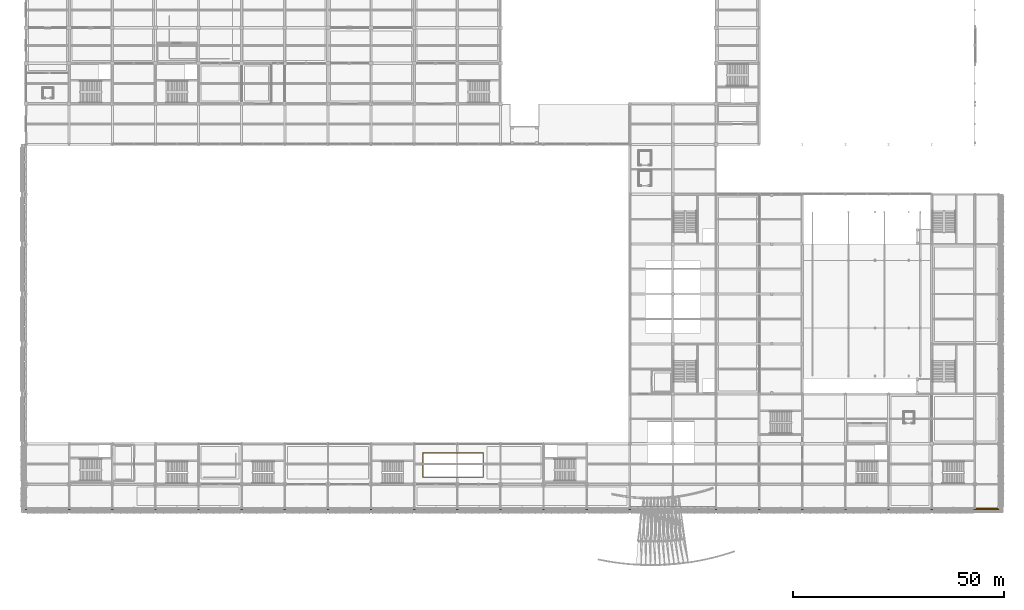
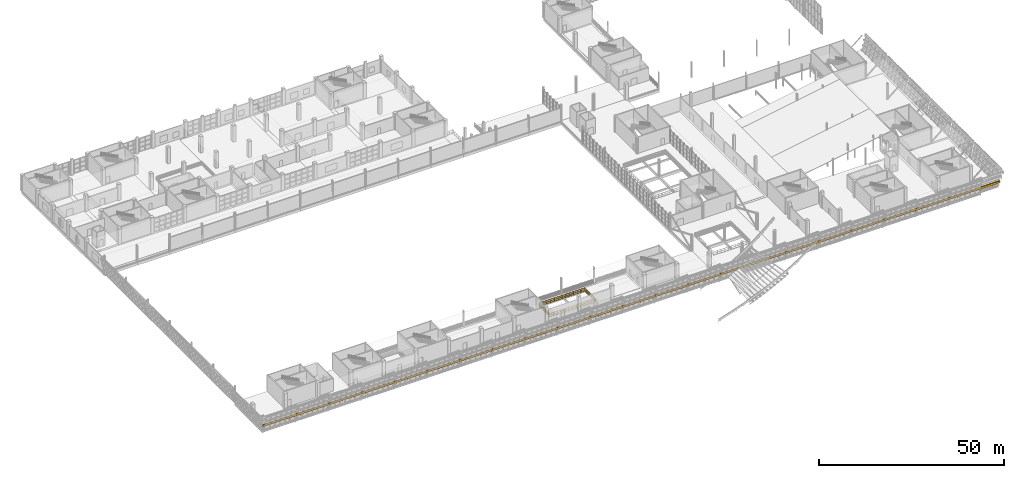
# One storey, part 158 of 175: 2 railings.
"""IFC4 building model written with IfcOpenShell, lengths in metres."""

from ifc_helpers import new_model, si_unit, direction, frame, origin, origin_2d, place, context, subcontext, project, spatial, rectangle, circle, extrude, material, type_object, element, save


model = new_model("IFC4")

# Units and contexts
model_context = context("Model", 3, precision=1e-05, world=origin(), true_north=direction((0.0, 1.0)))
body_context = subcontext(model_context, "Body", "Model", "MODEL_VIEW")
ifc_project = project(units=[si_unit("LENGTHUNIT", "METRE"), si_unit("AREAUNIT", "SQUARE_METRE"), si_unit("VOLUMEUNIT", "CUBIC_METRE"), si_unit("PLANEANGLEUNIT", "RADIAN"), si_unit("MASSUNIT", "GRAM", prefix="KILO")], contexts=[model_context])

# Site, building, storey
site_placement = place(None, origin())
site = spatial("IfcSite", under=ifc_project, at=site_placement, CompositionType="ELEMENT")
building_placement = place(site_placement, origin())
building = spatial("IfcBuilding", under=site, at=building_placement, Name="Brelvane Convention Centre", CompositionType="ELEMENT")
storey_placement = place(building_placement, frame((0.0, 0.0, 5.39990234375)))
storey = spatial("IfcBuildingStorey", under=building, at=storey_placement, Name="L01", CompositionType="ELEMENT", Elevation=5.39990234375)

# Railings
ifc_material_1 = material(Name="Steel E350 (350 MPa)", Category="steel")
railing_type_1 = type_object("IfcRailingType", Name="Railing BL-ATR-1", PredefinedType="BALUSTRADE", material=ifc_material_1)
railing_1_placement = place(storey_placement, frame((93.8798828125, 20.8798828125, 0.0)))
element("IfcRailing", 1, at=railing_1_placement, inside=storey, type_object=railing_type_1, Name="Railing BL-ATR-1 L01-atrium_well_03", PredefinedType="BALUSTRADE", context=body_context, shape_type="SweptSolid", body=[
    extrude(circle(Radius=0.02392578125, at=origin_2d()), frame((0.0, 0.0, 1.15576171875), z_axis=(1.0, 0.0, 0.0), x_axis=(0.0, 1.0, 0.0)), (0.0, 0.0, 1.0), 14.240234375),
    extrude(circle(Radius=0.02392578125, at=origin_2d()), frame((0.0, 0.0, 0.613525390625), z_axis=(1.0, 0.0, 0.0), x_axis=(0.0, 1.0, 0.0)), (0.0, 0.0, 1.0), 14.240234375),
    extrude(circle(Radius=0.02392578125, at=origin_2d()), frame((0.0, 0.0, 0.139892578125), z_axis=(1.0, 0.0, 0.0), x_axis=(0.0, 1.0, 0.0)), (0.0, 0.0, 1.0), 14.240234375),
    extrude(circle(Radius=0.02392578125, at=origin_2d()), frame((14.240234375, 0.0, 1.15576171875), z_axis=(0.0, 1.0, 0.0), x_axis=(-1.0, 0.0, 0.0)), (0.0, 0.0, 1.0), 5.740234375),
    extrude(circle(Radius=0.02392578125, at=origin_2d()), frame((14.240234375, 0.0, 0.613525390625), z_axis=(0.0, 1.0, 0.0), x_axis=(-1.0, 0.0, 0.0)), (0.0, 0.0, 1.0), 5.740234375),
    extrude(circle(Radius=0.02392578125, at=origin_2d()), frame((14.240234375, 0.0, 0.139892578125), z_axis=(0.0, 1.0, 0.0), x_axis=(-1.0, 0.0, 0.0)), (0.0, 0.0, 1.0), 5.740234375),
    extrude(circle(Radius=0.02392578125, at=origin_2d()), frame((14.240234375, 5.740234375, 1.15576171875), z_axis=(-1.0, 0.0, 0.0), x_axis=(0.0, -1.0, 0.0)), (0.0, 0.0, 1.0), 14.240234375),
    extrude(circle(Radius=0.02392578125, at=origin_2d()), frame((14.240234375, 5.740234375, 0.613525390625), z_axis=(-1.0, 0.0, 0.0), x_axis=(0.0, -1.0, 0.0)), (0.0, 0.0, 1.0), 14.240234375),
    extrude(circle(Radius=0.02392578125, at=origin_2d()), frame((14.240234375, 5.740234375, 0.139892578125), z_axis=(-1.0, 0.0, 0.0), x_axis=(0.0, -1.0, 0.0)), (0.0, 0.0, 1.0), 14.240234375),
    extrude(circle(Radius=0.02392578125, at=origin_2d()), frame((0.0, 5.740234375, 1.15576171875), z_axis=(0.0, -1.0, 0.0), x_axis=(1.0, 0.0, 0.0)), (0.0, 0.0, 1.0), 5.735107421875),
    extrude(circle(Radius=0.02392578125, at=origin_2d()), frame((0.0, 5.740234375, 0.613525390625), z_axis=(0.0, -1.0, 0.0), x_axis=(1.0, 0.0, 0.0)), (0.0, 0.0, 1.0), 5.735107421875),
    extrude(circle(Radius=0.02392578125, at=origin_2d()), frame((0.0, 5.740234375, 0.139892578125), z_axis=(0.0, -1.0, 0.0), x_axis=(1.0, 0.0, 0.0)), (0.0, 0.0, 1.0), 5.735107421875),
    extrude(circle(Radius=0.02099609375, at=origin_2d()), origin(), (0.0, 0.0, 1.0), 1.1318359375),
    extrude(circle(Radius=0.02099609375, at=origin_2d()), frame((1.186767578125, 0.0, 0.0)), (0.0, 0.0, 1.0), 1.1318359375),
    extrude(circle(Radius=0.02099609375, at=origin_2d()), frame((2.373291015625, 0.0, 0.0)), (0.0, 0.0, 1.0), 1.1318359375),
    extrude(circle(Radius=0.02099609375, at=origin_2d()), frame((3.56005859375, 0.0, 0.0)), (0.0, 0.0, 1.0), 1.1318359375),
    extrude(circle(Radius=0.02099609375, at=origin_2d()), frame((4.746826171875, 0.0, 0.0)), (0.0, 0.0, 1.0), 1.1318359375),
    extrude(circle(Radius=0.02099609375, at=origin_2d()), frame((5.933349609375, 0.0, 0.0)), (0.0, 0.0, 1.0), 1.1318359375),
    extrude(circle(Radius=0.02099609375, at=origin_2d()), frame((7.1201171875, 0.0, 0.0)), (0.0, 0.0, 1.0), 1.1318359375),
    extrude(circle(Radius=0.02099609375, at=origin_2d()), frame((8.306884765625, 0.0, 0.0)), (0.0, 0.0, 1.0), 1.1318359375),
    extrude(circle(Radius=0.02099609375, at=origin_2d()), frame((9.493408203125, 0.0, 0.0)), (0.0, 0.0, 1.0), 1.1318359375),
    extrude(circle(Radius=0.02099609375, at=origin_2d()), frame((10.68017578125, 0.0, 0.0)), (0.0, 0.0, 1.0), 1.1318359375),
    extrude(circle(Radius=0.02099609375, at=origin_2d()), frame((11.866943359375, 0.0, 0.0)), (0.0, 0.0, 1.0), 1.1318359375),
    extrude(circle(Radius=0.02099609375, at=origin_2d()), frame((13.053466796875, 0.0, 0.0)), (0.0, 0.0, 1.0), 1.1318359375),
    extrude(circle(Radius=0.02099609375, at=origin_2d()), frame((14.240234375, 0.0, 0.0)), (0.0, 0.0, 1.0), 1.1318359375),
    extrude(circle(Radius=0.02099609375, at=origin_2d()), frame((14.240234375, 1.14794921875, 0.0)), (0.0, 0.0, 1.0), 1.1318359375),
    extrude(circle(Radius=0.02099609375, at=origin_2d()), frame((14.240234375, 2.296142578125, 0.0)), (0.0, 0.0, 1.0), 1.1318359375),
    extrude(circle(Radius=0.02099609375, at=origin_2d()), frame((14.240234375, 3.444091796875, 0.0)), (0.0, 0.0, 1.0), 1.1318359375),
    extrude(circle(Radius=0.02099609375, at=origin_2d()), frame((14.240234375, 4.59228515625, 0.0)), (0.0, 0.0, 1.0), 1.1318359375),
    extrude(circle(Radius=0.02099609375, at=origin_2d()), frame((14.240234375, 5.740234375, 0.0)), (0.0, 0.0, 1.0), 1.1318359375),
    extrude(circle(Radius=0.02099609375, at=origin_2d()), frame((13.053466796875, 5.740234375, 0.0)), (0.0, 0.0, 1.0), 1.1318359375),
    extrude(circle(Radius=0.02099609375, at=origin_2d()), frame((11.866943359375, 5.740234375, 0.0)), (0.0, 0.0, 1.0), 1.1318359375),
    extrude(circle(Radius=0.02099609375, at=origin_2d()), frame((10.68017578125, 5.740234375, 0.0)), (0.0, 0.0, 1.0), 1.1318359375),
    extrude(circle(Radius=0.02099609375, at=origin_2d()), frame((9.493408203125, 5.740234375, 0.0)), (0.0, 0.0, 1.0), 1.1318359375),
    extrude(circle(Radius=0.02099609375, at=origin_2d()), frame((8.306884765625, 5.740234375, 0.0)), (0.0, 0.0, 1.0), 1.1318359375),
    extrude(circle(Radius=0.02099609375, at=origin_2d()), frame((7.1201171875, 5.740234375, 0.0)), (0.0, 0.0, 1.0), 1.1318359375),
    extrude(circle(Radius=0.02099609375, at=origin_2d()), frame((5.933349609375, 5.740234375, 0.0)), (0.0, 0.0, 1.0), 1.1318359375),
    extrude(circle(Radius=0.02099609375, at=origin_2d()), frame((4.746826171875, 5.740234375, 0.0)), (0.0, 0.0, 1.0), 1.1318359375),
    extrude(circle(Radius=0.02099609375, at=origin_2d()), frame((3.56005859375, 5.740234375, 0.0)), (0.0, 0.0, 1.0), 1.1318359375),
    extrude(circle(Radius=0.02099609375, at=origin_2d()), frame((2.373291015625, 5.740234375, 0.0)), (0.0, 0.0, 1.0), 1.1318359375),
    extrude(circle(Radius=0.02099609375, at=origin_2d()), frame((1.186767578125, 5.740234375, 0.0)), (0.0, 0.0, 1.0), 1.1318359375),
    extrude(circle(Radius=0.02099609375, at=origin_2d()), frame((0.0, 5.740234375, 0.0)), (0.0, 0.0, 1.0), 1.1318359375),
    extrude(circle(Radius=0.02099609375, at=origin_2d()), frame((0.0, 4.59326171875, 0.0)), (0.0, 0.0, 1.0), 1.1318359375),
    extrude(circle(Radius=0.02099609375, at=origin_2d()), frame((0.0, 3.4462890625, 0.0)), (0.0, 0.0, 1.0), 1.1318359375),
    extrude(circle(Radius=0.02099609375, at=origin_2d()), frame((0.0, 2.299072265625, 0.0)), (0.0, 0.0, 1.0), 1.1318359375),
    extrude(circle(Radius=0.02099609375, at=origin_2d()), frame((0.0, 1.152099609375, 0.0)), (0.0, 0.0, 1.0), 1.1318359375),
    extrude(circle(Radius=0.02099609375, at=origin_2d()), frame((0.0, 0.005126953125, 0.0)), (0.0, 0.0, 1.0), 1.1318359375),
])
ifc_material_2 = material(Name="Steel E350 (350 MPa)", Category="steel")
railing_type_2 = type_object("IfcRailingType", Name="Railing BL-CU-1", PredefinedType="BALUSTRADE", material=ifc_material_2)
railing_2_placement = place(storey_placement, frame((-0.2880859375, 13.3720703125, 0.800048828125)))
element("IfcRailing", 2, at=railing_2_placement, inside=storey, type_object=railing_type_2, Name="Railing BL-CU-1 L01-cu_hull_s_1", PredefinedType="BALUSTRADE", context=body_context, shape_type="SweptSolid", body=[
    extrude(rectangle(XDim=0.280029296875, YDim=0.6201171875, at=origin_2d()), frame((0.0, 0.0, 0.81005859375), z_axis=(1.0, 0.0, 0.0), x_axis=(0.0, 1.0, 0.0)), (0.0, 0.0, 1.0), 230.51611328125),
    extrude(circle(Radius=0.02099609375, at=origin_2d()), origin(), (0.0, 0.0, 1.0), 1.072021484375),
    extrude(circle(Radius=0.02099609375, at=origin_2d()), frame((1.1943359375, 0.0, 0.0)), (0.0, 0.0, 1.0), 1.072021484375),
    extrude(circle(Radius=0.02099609375, at=origin_2d()), frame((2.388671875, 0.0, 0.0)), (0.0, 0.0, 1.0), 1.072021484375),
    extrude(circle(Radius=0.02099609375, at=origin_2d()), frame((3.583251953125, 0.0, 0.0)), (0.0, 0.0, 1.0), 1.072021484375),
    extrude(circle(Radius=0.02099609375, at=origin_2d()), frame((4.777587890625, 0.0, 0.0)), (0.0, 0.0, 1.0), 1.072021484375),
    extrude(circle(Radius=0.02099609375, at=origin_2d()), frame((5.971923828125, 0.0, 0.0)), (0.0, 0.0, 1.0), 1.072021484375),
    extrude(circle(Radius=0.02099609375, at=origin_2d()), frame((7.166259765625, 0.0, 0.0)), (0.0, 0.0, 1.0), 1.072021484375),
    extrude(circle(Radius=0.02099609375, at=origin_2d()), frame((8.360595703125, 0.0, 0.0)), (0.0, 0.0, 1.0), 1.072021484375),
    extrude(circle(Radius=0.02099609375, at=origin_2d()), frame((9.55517578125, 0.0, 0.0)), (0.0, 0.0, 1.0), 1.072021484375),
    extrude(circle(Radius=0.02099609375, at=origin_2d()), frame((10.74951171875, 0.0, 0.0)), (0.0, 0.0, 1.0), 1.072021484375),
    extrude(circle(Radius=0.02099609375, at=origin_2d()), frame((11.94384765625, 0.0, 0.0)), (0.0, 0.0, 1.0), 1.072021484375),
    extrude(circle(Radius=0.02099609375, at=origin_2d()), frame((13.13818359375, 0.0, 0.0)), (0.0, 0.0, 1.0), 1.072021484375),
    extrude(circle(Radius=0.02099609375, at=origin_2d()), frame((14.33251953125, 0.0, 0.0)), (0.0, 0.0, 1.0), 1.072021484375),
    extrude(circle(Radius=0.02099609375, at=origin_2d()), frame((15.527099609375, 0.0, 0.0)), (0.0, 0.0, 1.0), 1.072021484375),
    extrude(circle(Radius=0.02099609375, at=origin_2d()), frame((16.721435546875, 0.0, 0.0)), (0.0, 0.0, 1.0), 1.072021484375),
    extrude(circle(Radius=0.02099609375, at=origin_2d()), frame((17.915771484375, 0.0, 0.0)), (0.0, 0.0, 1.0), 1.072021484375),
    extrude(circle(Radius=0.02099609375, at=origin_2d()), frame((19.110107421875, 0.0, 0.0)), (0.0, 0.0, 1.0), 1.072021484375),
    extrude(circle(Radius=0.02099609375, at=origin_2d()), frame((20.304443359375, 0.0, 0.0)), (0.0, 0.0, 1.0), 1.072021484375),
    extrude(circle(Radius=0.02099609375, at=origin_2d()), frame((21.4990234375, 0.0, 0.0)), (0.0, 0.0, 1.0), 1.072021484375),
    extrude(circle(Radius=0.02099609375, at=origin_2d()), frame((22.693359375, 0.0, 0.0)), (0.0, 0.0, 1.0), 1.072021484375),
    extrude(circle(Radius=0.02099609375, at=origin_2d()), frame((23.8876953125, 0.0, 0.0)), (0.0, 0.0, 1.0), 1.072021484375),
    extrude(circle(Radius=0.02099609375, at=origin_2d()), frame((25.08203125, 0.0, 0.0)), (0.0, 0.0, 1.0), 1.072021484375),
    extrude(circle(Radius=0.02099609375, at=origin_2d()), frame((26.2763671875, 0.0, 0.0)), (0.0, 0.0, 1.0), 1.072021484375),
    extrude(circle(Radius=0.02099609375, at=origin_2d()), frame((27.470947265625, 0.0, 0.0)), (0.0, 0.0, 1.0), 1.072021484375),
    extrude(circle(Radius=0.02099609375, at=origin_2d()), frame((28.665283203125, 0.0, 0.0)), (0.0, 0.0, 1.0), 1.072021484375),
    extrude(circle(Radius=0.02099609375, at=origin_2d()), frame((29.859619140625, 0.0, 0.0)), (0.0, 0.0, 1.0), 1.072021484375),
    extrude(circle(Radius=0.02099609375, at=origin_2d()), frame((31.053955078125, 0.0, 0.0)), (0.0, 0.0, 1.0), 1.072021484375),
    extrude(circle(Radius=0.02099609375, at=origin_2d()), frame((32.248291015625, 0.0, 0.0)), (0.0, 0.0, 1.0), 1.072021484375),
    extrude(circle(Radius=0.02099609375, at=origin_2d()), frame((33.44287109375, 0.0, 0.0)), (0.0, 0.0, 1.0), 1.072021484375),
    extrude(circle(Radius=0.02099609375, at=origin_2d()), frame((34.63720703125, 0.0, 0.0)), (0.0, 0.0, 1.0), 1.072021484375),
    extrude(circle(Radius=0.02099609375, at=origin_2d()), frame((35.83154296875, 0.0, 0.0)), (0.0, 0.0, 1.0), 1.072021484375),
    extrude(circle(Radius=0.02099609375, at=origin_2d()), frame((37.02587890625, 0.0, 0.0)), (0.0, 0.0, 1.0), 1.072021484375),
    extrude(circle(Radius=0.02099609375, at=origin_2d()), frame((38.22021484375, 0.0, 0.0)), (0.0, 0.0, 1.0), 1.072021484375),
    extrude(circle(Radius=0.02099609375, at=origin_2d()), frame((39.41455078125, 0.0, 0.0)), (0.0, 0.0, 1.0), 1.072021484375),
    extrude(circle(Radius=0.02099609375, at=origin_2d()), frame((40.609130859375, 0.0, 0.0)), (0.0, 0.0, 1.0), 1.072021484375),
    extrude(circle(Radius=0.02099609375, at=origin_2d()), frame((41.803466796875, 0.0, 0.0)), (0.0, 0.0, 1.0), 1.072021484375),
    extrude(circle(Radius=0.02099609375, at=origin_2d()), frame((42.997802734375, 0.0, 0.0)), (0.0, 0.0, 1.0), 1.072021484375),
    extrude(circle(Radius=0.02099609375, at=origin_2d()), frame((44.192138671875, 0.0, 0.0)), (0.0, 0.0, 1.0), 1.072021484375),
    extrude(circle(Radius=0.02099609375, at=origin_2d()), frame((45.386474609375, 0.0, 0.0)), (0.0, 0.0, 1.0), 1.072021484375),
    extrude(circle(Radius=0.02099609375, at=origin_2d()), frame((46.5810546875, 0.0, 0.0)), (0.0, 0.0, 1.0), 1.072021484375),
    extrude(circle(Radius=0.02099609375, at=origin_2d()), frame((47.775390625, 0.0, 0.0)), (0.0, 0.0, 1.0), 1.072021484375),
    extrude(circle(Radius=0.02099609375, at=origin_2d()), frame((48.9697265625, 0.0, 0.0)), (0.0, 0.0, 1.0), 1.072021484375),
    extrude(circle(Radius=0.02099609375, at=origin_2d()), frame((50.1640625, 0.0, 0.0)), (0.0, 0.0, 1.0), 1.072021484375),
    extrude(circle(Radius=0.02099609375, at=origin_2d()), frame((51.3583984375, 0.0, 0.0)), (0.0, 0.0, 1.0), 1.072021484375),
    extrude(circle(Radius=0.02099609375, at=origin_2d()), frame((52.552978515625, 0.0, 0.0)), (0.0, 0.0, 1.0), 1.072021484375),
    extrude(circle(Radius=0.02099609375, at=origin_2d()), frame((53.747314453125, 0.0, 0.0)), (0.0, 0.0, 1.0), 1.072021484375),
    extrude(circle(Radius=0.02099609375, at=origin_2d()), frame((54.941650390625, 0.0, 0.0)), (0.0, 0.0, 1.0), 1.072021484375),
    extrude(circle(Radius=0.02099609375, at=origin_2d()), frame((56.135986328125, 0.0, 0.0)), (0.0, 0.0, 1.0), 1.072021484375),
    extrude(circle(Radius=0.02099609375, at=origin_2d()), frame((57.330322265625, 0.0, 0.0)), (0.0, 0.0, 1.0), 1.072021484375),
    extrude(circle(Radius=0.02099609375, at=origin_2d()), frame((58.52490234375, 0.0, 0.0)), (0.0, 0.0, 1.0), 1.072021484375),
    extrude(circle(Radius=0.02099609375, at=origin_2d()), frame((59.71923828125, 0.0, 0.0)), (0.0, 0.0, 1.0), 1.072021484375),
    extrude(circle(Radius=0.02099609375, at=origin_2d()), frame((60.91357421875, 0.0, 0.0)), (0.0, 0.0, 1.0), 1.072021484375),
    extrude(circle(Radius=0.02099609375, at=origin_2d()), frame((62.10791015625, 0.0, 0.0)), (0.0, 0.0, 1.0), 1.072021484375),
    extrude(circle(Radius=0.02099609375, at=origin_2d()), frame((63.30224609375, 0.0, 0.0)), (0.0, 0.0, 1.0), 1.072021484375),
    extrude(circle(Radius=0.02099609375, at=origin_2d()), frame((64.496826171875, 0.0, 0.0)), (0.0, 0.0, 1.0), 1.072021484375),
    extrude(circle(Radius=0.02099609375, at=origin_2d()), frame((65.691162109375, 0.0, 0.0)), (0.0, 0.0, 1.0), 1.072021484375),
    extrude(circle(Radius=0.02099609375, at=origin_2d()), frame((66.885498046875, 0.0, 0.0)), (0.0, 0.0, 1.0), 1.072021484375),
    extrude(circle(Radius=0.02099609375, at=origin_2d()), frame((68.079833984375, 0.0, 0.0)), (0.0, 0.0, 1.0), 1.072021484375),
    extrude(circle(Radius=0.02099609375, at=origin_2d()), frame((69.274169921875, 0.0, 0.0)), (0.0, 0.0, 1.0), 1.072021484375),
    extrude(circle(Radius=0.02099609375, at=origin_2d()), frame((70.46875, 0.0, 0.0)), (0.0, 0.0, 1.0), 1.072021484375),
    extrude(circle(Radius=0.02099609375, at=origin_2d()), frame((71.6630859375, 0.0, 0.0)), (0.0, 0.0, 1.0), 1.072021484375),
    extrude(circle(Radius=0.02099609375, at=origin_2d()), frame((72.857421875, 0.0, 0.0)), (0.0, 0.0, 1.0), 1.072021484375),
    extrude(circle(Radius=0.02099609375, at=origin_2d()), frame((74.0517578125, 0.0, 0.0)), (0.0, 0.0, 1.0), 1.072021484375),
    extrude(circle(Radius=0.02099609375, at=origin_2d()), frame((75.24609375, 0.0, 0.0)), (0.0, 0.0, 1.0), 1.072021484375),
    extrude(circle(Radius=0.02099609375, at=origin_2d()), frame((76.440673828125, 0.0, 0.0)), (0.0, 0.0, 1.0), 1.072021484375),
    extrude(circle(Radius=0.02099609375, at=origin_2d()), frame((77.635009765625, 0.0, 0.0)), (0.0, 0.0, 1.0), 1.072021484375),
    extrude(circle(Radius=0.02099609375, at=origin_2d()), frame((78.829345703125, 0.0, 0.0)), (0.0, 0.0, 1.0), 1.072021484375),
    extrude(circle(Radius=0.02099609375, at=origin_2d()), frame((80.023681640625, 0.0, 0.0)), (0.0, 0.0, 1.0), 1.072021484375),
    extrude(circle(Radius=0.02099609375, at=origin_2d()), frame((81.218017578125, 0.0, 0.0)), (0.0, 0.0, 1.0), 1.072021484375),
    extrude(circle(Radius=0.02099609375, at=origin_2d()), frame((82.41259765625, 0.0, 0.0)), (0.0, 0.0, 1.0), 1.072021484375),
    extrude(circle(Radius=0.02099609375, at=origin_2d()), frame((83.60693359375, 0.0, 0.0)), (0.0, 0.0, 1.0), 1.072021484375),
    extrude(circle(Radius=0.02099609375, at=origin_2d()), frame((84.80126953125, 0.0, 0.0)), (0.0, 0.0, 1.0), 1.072021484375),
    extrude(circle(Radius=0.02099609375, at=origin_2d()), frame((85.99560546875, 0.0, 0.0)), (0.0, 0.0, 1.0), 1.072021484375),
    extrude(circle(Radius=0.02099609375, at=origin_2d()), frame((87.18994140625, 0.0, 0.0)), (0.0, 0.0, 1.0), 1.072021484375),
    extrude(circle(Radius=0.02099609375, at=origin_2d()), frame((88.384521484375, 0.0, 0.0)), (0.0, 0.0, 1.0), 1.072021484375),
    extrude(circle(Radius=0.02099609375, at=origin_2d()), frame((89.578857421875, 0.0, 0.0)), (0.0, 0.0, 1.0), 1.072021484375),
    extrude(circle(Radius=0.02099609375, at=origin_2d()), frame((90.773193359375, 0.0, 0.0)), (0.0, 0.0, 1.0), 1.072021484375),
    extrude(circle(Radius=0.02099609375, at=origin_2d()), frame((91.967529296875, 0.0, 0.0)), (0.0, 0.0, 1.0), 1.072021484375),
    extrude(circle(Radius=0.02099609375, at=origin_2d()), frame((93.161865234375, 0.0, 0.0)), (0.0, 0.0, 1.0), 1.072021484375),
    extrude(circle(Radius=0.02099609375, at=origin_2d()), frame((94.3564453125, 0.0, 0.0)), (0.0, 0.0, 1.0), 1.072021484375),
    extrude(circle(Radius=0.02099609375, at=origin_2d()), frame((95.55078125, 0.0, 0.0)), (0.0, 0.0, 1.0), 1.072021484375),
    extrude(circle(Radius=0.02099609375, at=origin_2d()), frame((96.7451171875, 0.0, 0.0)), (0.0, 0.0, 1.0), 1.072021484375),
    extrude(circle(Radius=0.02099609375, at=origin_2d()), frame((97.939453125, 0.0, 0.0)), (0.0, 0.0, 1.0), 1.072021484375),
    extrude(circle(Radius=0.02099609375, at=origin_2d()), frame((99.1337890625, 0.0, 0.0)), (0.0, 0.0, 1.0), 1.072021484375),
    extrude(circle(Radius=0.02099609375, at=origin_2d()), frame((100.328369140625, 0.0, 0.0)), (0.0, 0.0, 1.0), 1.072021484375),
    extrude(circle(Radius=0.02099609375, at=origin_2d()), frame((101.522705078125, 0.0, 0.0)), (0.0, 0.0, 1.0), 1.072021484375),
    extrude(circle(Radius=0.02099609375, at=origin_2d()), frame((102.717041015625, 0.0, 0.0)), (0.0, 0.0, 1.0), 1.072021484375),
    extrude(circle(Radius=0.02099609375, at=origin_2d()), frame((103.911376953125, 0.0, 0.0)), (0.0, 0.0, 1.0), 1.072021484375),
    extrude(circle(Radius=0.02099609375, at=origin_2d()), frame((105.105712890625, 0.0, 0.0)), (0.0, 0.0, 1.0), 1.072021484375),
    extrude(circle(Radius=0.02099609375, at=origin_2d()), frame((106.30029296875, 0.0, 0.0)), (0.0, 0.0, 1.0), 1.072021484375),
    extrude(circle(Radius=0.02099609375, at=origin_2d()), frame((107.49462890625, 0.0, 0.0)), (0.0, 0.0, 1.0), 1.072021484375),
    extrude(circle(Radius=0.02099609375, at=origin_2d()), frame((108.68896484375, 0.0, 0.0)), (0.0, 0.0, 1.0), 1.072021484375),
    extrude(circle(Radius=0.02099609375, at=origin_2d()), frame((109.88330078125, 0.0, 0.0)), (0.0, 0.0, 1.0), 1.072021484375),
    extrude(circle(Radius=0.02099609375, at=origin_2d()), frame((111.07763671875, 0.0, 0.0)), (0.0, 0.0, 1.0), 1.072021484375),
    extrude(circle(Radius=0.02099609375, at=origin_2d()), frame((112.272216796875, 0.0, 0.0)), (0.0, 0.0, 1.0), 1.072021484375),
    extrude(circle(Radius=0.02099609375, at=origin_2d()), frame((113.466552734375, 0.0, 0.0)), (0.0, 0.0, 1.0), 1.072021484375),
    extrude(circle(Radius=0.02099609375, at=origin_2d()), frame((114.660888671875, 0.0, 0.0)), (0.0, 0.0, 1.0), 1.072021484375),
    extrude(circle(Radius=0.02099609375, at=origin_2d()), frame((115.855224609375, 0.0, 0.0)), (0.0, 0.0, 1.0), 1.072021484375),
    extrude(circle(Radius=0.02099609375, at=origin_2d()), frame((117.049560546875, 0.0, 0.0)), (0.0, 0.0, 1.0), 1.072021484375),
    extrude(circle(Radius=0.02099609375, at=origin_2d()), frame((118.243896484375, 0.0, 0.0)), (0.0, 0.0, 1.0), 1.072021484375),
    extrude(circle(Radius=0.02099609375, at=origin_2d()), frame((119.4384765625, 0.0, 0.0)), (0.0, 0.0, 1.0), 1.072021484375),
    extrude(circle(Radius=0.02099609375, at=origin_2d()), frame((120.6328125, 0.0, 0.0)), (0.0, 0.0, 1.0), 1.072021484375),
    extrude(circle(Radius=0.02099609375, at=origin_2d()), frame((121.8271484375, 0.0, 0.0)), (0.0, 0.0, 1.0), 1.072021484375),
    extrude(circle(Radius=0.02099609375, at=origin_2d()), frame((123.021484375, 0.0, 0.0)), (0.0, 0.0, 1.0), 1.072021484375),
    extrude(circle(Radius=0.02099609375, at=origin_2d()), frame((124.2158203125, 0.0, 0.0)), (0.0, 0.0, 1.0), 1.072021484375),
    extrude(circle(Radius=0.02099609375, at=origin_2d()), frame((125.410400390625, 0.0, 0.0)), (0.0, 0.0, 1.0), 1.072021484375),
    extrude(circle(Radius=0.02099609375, at=origin_2d()), frame((126.604736328125, 0.0, 0.0)), (0.0, 0.0, 1.0), 1.072021484375),
    extrude(circle(Radius=0.02099609375, at=origin_2d()), frame((127.799072265625, 0.0, 0.0)), (0.0, 0.0, 1.0), 1.072021484375),
    extrude(circle(Radius=0.02099609375, at=origin_2d()), frame((128.993408203125, 0.0, 0.0)), (0.0, 0.0, 1.0), 1.072021484375),
    extrude(circle(Radius=0.02099609375, at=origin_2d()), frame((130.187744140625, 0.0, 0.0)), (0.0, 0.0, 1.0), 1.072021484375),
    extrude(circle(Radius=0.02099609375, at=origin_2d()), frame((131.38232421875, 0.0, 0.0)), (0.0, 0.0, 1.0), 1.072021484375),
    extrude(circle(Radius=0.02099609375, at=origin_2d()), frame((132.57666015625, 0.0, 0.0)), (0.0, 0.0, 1.0), 1.072021484375),
    extrude(circle(Radius=0.02099609375, at=origin_2d()), frame((133.77099609375, 0.0, 0.0)), (0.0, 0.0, 1.0), 1.072021484375),
    extrude(circle(Radius=0.02099609375, at=origin_2d()), frame((134.96533203125, 0.0, 0.0)), (0.0, 0.0, 1.0), 1.072021484375),
    extrude(circle(Radius=0.02099609375, at=origin_2d()), frame((136.15966796875, 0.0, 0.0)), (0.0, 0.0, 1.0), 1.072021484375),
    extrude(circle(Radius=0.02099609375, at=origin_2d()), frame((137.354248046875, 0.0, 0.0)), (0.0, 0.0, 1.0), 1.072021484375),
    extrude(circle(Radius=0.02099609375, at=origin_2d()), frame((138.548583984375, 0.0, 0.0)), (0.0, 0.0, 1.0), 1.072021484375),
    extrude(circle(Radius=0.02099609375, at=origin_2d()), frame((139.742919921875, 0.0, 0.0)), (0.0, 0.0, 1.0), 1.072021484375),
    extrude(circle(Radius=0.02099609375, at=origin_2d()), frame((140.937255859375, 0.0, 0.0)), (0.0, 0.0, 1.0), 1.072021484375),
    extrude(circle(Radius=0.02099609375, at=origin_2d()), frame((142.131591796875, 0.0, 0.0)), (0.0, 0.0, 1.0), 1.072021484375),
    extrude(circle(Radius=0.02099609375, at=origin_2d()), frame((143.326171875, 0.0, 0.0)), (0.0, 0.0, 1.0), 1.072021484375),
    extrude(circle(Radius=0.02099609375, at=origin_2d()), frame((144.5205078125, 0.0, 0.0)), (0.0, 0.0, 1.0), 1.072021484375),
    extrude(circle(Radius=0.02099609375, at=origin_2d()), frame((145.71484375, 0.0, 0.0)), (0.0, 0.0, 1.0), 1.072021484375),
    extrude(circle(Radius=0.02099609375, at=origin_2d()), frame((146.9091796875, 0.0, 0.0)), (0.0, 0.0, 1.0), 1.072021484375),
    extrude(circle(Radius=0.02099609375, at=origin_2d()), frame((148.103515625, 0.0, 0.0)), (0.0, 0.0, 1.0), 1.072021484375),
    extrude(circle(Radius=0.02099609375, at=origin_2d()), frame((149.298095703125, 0.0, 0.0)), (0.0, 0.0, 1.0), 1.072021484375),
    extrude(circle(Radius=0.02099609375, at=origin_2d()), frame((150.492431640625, 0.0, 0.0)), (0.0, 0.0, 1.0), 1.072021484375),
    extrude(circle(Radius=0.02099609375, at=origin_2d()), frame((151.686767578125, 0.0, 0.0)), (0.0, 0.0, 1.0), 1.072021484375),
    extrude(circle(Radius=0.02099609375, at=origin_2d()), frame((152.881103515625, 0.0, 0.0)), (0.0, 0.0, 1.0), 1.072021484375),
    extrude(circle(Radius=0.02099609375, at=origin_2d()), frame((154.075439453125, 0.0, 0.0)), (0.0, 0.0, 1.0), 1.072021484375),
    extrude(circle(Radius=0.02099609375, at=origin_2d()), frame((155.27001953125, 0.0, 0.0)), (0.0, 0.0, 1.0), 1.072021484375),
    extrude(circle(Radius=0.02099609375, at=origin_2d()), frame((156.46435546875, 0.0, 0.0)), (0.0, 0.0, 1.0), 1.072021484375),
    extrude(circle(Radius=0.02099609375, at=origin_2d()), frame((157.65869140625, 0.0, 0.0)), (0.0, 0.0, 1.0), 1.072021484375),
    extrude(circle(Radius=0.02099609375, at=origin_2d()), frame((158.85302734375, 0.0, 0.0)), (0.0, 0.0, 1.0), 1.072021484375),
    extrude(circle(Radius=0.02099609375, at=origin_2d()), frame((160.04736328125, 0.0, 0.0)), (0.0, 0.0, 1.0), 1.072021484375),
    extrude(circle(Radius=0.02099609375, at=origin_2d()), frame((161.241943359375, 0.0, 0.0)), (0.0, 0.0, 1.0), 1.072021484375),
    extrude(circle(Radius=0.02099609375, at=origin_2d()), frame((162.436279296875, 0.0, 0.0)), (0.0, 0.0, 1.0), 1.072021484375),
    extrude(circle(Radius=0.02099609375, at=origin_2d()), frame((163.630615234375, 0.0, 0.0)), (0.0, 0.0, 1.0), 1.072021484375),
    extrude(circle(Radius=0.02099609375, at=origin_2d()), frame((164.824951171875, 0.0, 0.0)), (0.0, 0.0, 1.0), 1.072021484375),
    extrude(circle(Radius=0.02099609375, at=origin_2d()), frame((166.019287109375, 0.0, 0.0)), (0.0, 0.0, 1.0), 1.072021484375),
    extrude(circle(Radius=0.02099609375, at=origin_2d()), frame((167.2138671875, 0.0, 0.0)), (0.0, 0.0, 1.0), 1.072021484375),
    extrude(circle(Radius=0.02099609375, at=origin_2d()), frame((168.408203125, 0.0, 0.0)), (0.0, 0.0, 1.0), 1.072021484375),
    extrude(circle(Radius=0.02099609375, at=origin_2d()), frame((169.6025390625, 0.0, 0.0)), (0.0, 0.0, 1.0), 1.072021484375),
    extrude(circle(Radius=0.02099609375, at=origin_2d()), frame((170.796875, 0.0, 0.0)), (0.0, 0.0, 1.0), 1.072021484375),
    extrude(circle(Radius=0.02099609375, at=origin_2d()), frame((171.9912109375, 0.0, 0.0)), (0.0, 0.0, 1.0), 1.072021484375),
    extrude(circle(Radius=0.02099609375, at=origin_2d()), frame((173.185791015625, 0.0, 0.0)), (0.0, 0.0, 1.0), 1.072021484375),
    extrude(circle(Radius=0.02099609375, at=origin_2d()), frame((174.380126953125, 0.0, 0.0)), (0.0, 0.0, 1.0), 1.072021484375),
    extrude(circle(Radius=0.02099609375, at=origin_2d()), frame((175.574462890625, 0.0, 0.0)), (0.0, 0.0, 1.0), 1.072021484375),
    extrude(circle(Radius=0.02099609375, at=origin_2d()), frame((176.768798828125, 0.0, 0.0)), (0.0, 0.0, 1.0), 1.072021484375),
    extrude(circle(Radius=0.02099609375, at=origin_2d()), frame((177.963134765625, 0.0, 0.0)), (0.0, 0.0, 1.0), 1.072021484375),
    extrude(circle(Radius=0.02099609375, at=origin_2d()), frame((179.15771484375, 0.0, 0.0)), (0.0, 0.0, 1.0), 1.072021484375),
    extrude(circle(Radius=0.02099609375, at=origin_2d()), frame((180.35205078125, 0.0, 0.0)), (0.0, 0.0, 1.0), 1.072021484375),
    extrude(circle(Radius=0.02099609375, at=origin_2d()), frame((181.54638671875, 0.0, 0.0)), (0.0, 0.0, 1.0), 1.072021484375),
    extrude(circle(Radius=0.02099609375, at=origin_2d()), frame((182.74072265625, 0.0, 0.0)), (0.0, 0.0, 1.0), 1.072021484375),
    extrude(circle(Radius=0.02099609375, at=origin_2d()), frame((183.93505859375, 0.0, 0.0)), (0.0, 0.0, 1.0), 1.072021484375),
    extrude(circle(Radius=0.02099609375, at=origin_2d()), frame((185.129638671875, 0.0, 0.0)), (0.0, 0.0, 1.0), 1.072021484375),
    extrude(circle(Radius=0.02099609375, at=origin_2d()), frame((186.323974609375, 0.0, 0.0)), (0.0, 0.0, 1.0), 1.072021484375),
    extrude(circle(Radius=0.02099609375, at=origin_2d()), frame((187.518310546875, 0.0, 0.0)), (0.0, 0.0, 1.0), 1.072021484375),
    extrude(circle(Radius=0.02099609375, at=origin_2d()), frame((188.712646484375, 0.0, 0.0)), (0.0, 0.0, 1.0), 1.072021484375),
    extrude(circle(Radius=0.02099609375, at=origin_2d()), frame((189.906982421875, 0.0, 0.0)), (0.0, 0.0, 1.0), 1.072021484375),
    extrude(circle(Radius=0.02099609375, at=origin_2d()), frame((191.1015625, 0.0, 0.0)), (0.0, 0.0, 1.0), 1.072021484375),
    extrude(circle(Radius=0.02099609375, at=origin_2d()), frame((192.2958984375, 0.0, 0.0)), (0.0, 0.0, 1.0), 1.072021484375),
    extrude(circle(Radius=0.02099609375, at=origin_2d()), frame((193.490234375, 0.0, 0.0)), (0.0, 0.0, 1.0), 1.072021484375),
    extrude(circle(Radius=0.02099609375, at=origin_2d()), frame((194.6845703125, 0.0, 0.0)), (0.0, 0.0, 1.0), 1.072021484375),
    extrude(circle(Radius=0.02099609375, at=origin_2d()), frame((195.87890625, 0.0, 0.0)), (0.0, 0.0, 1.0), 1.072021484375),
    extrude(circle(Radius=0.02099609375, at=origin_2d()), frame((197.0732421875, 0.0, 0.0)), (0.0, 0.0, 1.0), 1.072021484375),
    extrude(circle(Radius=0.02099609375, at=origin_2d()), frame((198.267822265625, 0.0, 0.0)), (0.0, 0.0, 1.0), 1.072021484375),
    extrude(circle(Radius=0.02099609375, at=origin_2d()), frame((199.462158203125, 0.0, 0.0)), (0.0, 0.0, 1.0), 1.072021484375),
    extrude(circle(Radius=0.02099609375, at=origin_2d()), frame((200.656494140625, 0.0, 0.0)), (0.0, 0.0, 1.0), 1.072021484375),
    extrude(circle(Radius=0.02099609375, at=origin_2d()), frame((201.850830078125, 0.0, 0.0)), (0.0, 0.0, 1.0), 1.072021484375),
    extrude(circle(Radius=0.02099609375, at=origin_2d()), frame((203.045166015625, 0.0, 0.0)), (0.0, 0.0, 1.0), 1.072021484375),
    extrude(circle(Radius=0.02099609375, at=origin_2d()), frame((204.23974609375, 0.0, 0.0)), (0.0, 0.0, 1.0), 1.072021484375),
    extrude(circle(Radius=0.02099609375, at=origin_2d()), frame((205.43408203125, 0.0, 0.0)), (0.0, 0.0, 1.0), 1.072021484375),
    extrude(circle(Radius=0.02099609375, at=origin_2d()), frame((206.62841796875, 0.0, 0.0)), (0.0, 0.0, 1.0), 1.072021484375),
    extrude(circle(Radius=0.02099609375, at=origin_2d()), frame((207.82275390625, 0.0, 0.0)), (0.0, 0.0, 1.0), 1.072021484375),
    extrude(circle(Radius=0.02099609375, at=origin_2d()), frame((209.01708984375, 0.0, 0.0)), (0.0, 0.0, 1.0), 1.072021484375),
    extrude(circle(Radius=0.02099609375, at=origin_2d()), frame((210.211669921875, 0.0, 0.0)), (0.0, 0.0, 1.0), 1.072021484375),
    extrude(circle(Radius=0.02099609375, at=origin_2d()), frame((211.406005859375, 0.0, 0.0)), (0.0, 0.0, 1.0), 1.072021484375),
    extrude(circle(Radius=0.02099609375, at=origin_2d()), frame((212.600341796875, 0.0, 0.0)), (0.0, 0.0, 1.0), 1.072021484375),
    extrude(circle(Radius=0.02099609375, at=origin_2d()), frame((213.794677734375, 0.0, 0.0)), (0.0, 0.0, 1.0), 1.072021484375),
    extrude(circle(Radius=0.02099609375, at=origin_2d()), frame((214.989013671875, 0.0, 0.0)), (0.0, 0.0, 1.0), 1.072021484375),
    extrude(circle(Radius=0.02099609375, at=origin_2d()), frame((216.18359375, 0.0, 0.0)), (0.0, 0.0, 1.0), 1.072021484375),
    extrude(circle(Radius=0.02099609375, at=origin_2d()), frame((217.3779296875, 0.0, 0.0)), (0.0, 0.0, 1.0), 1.072021484375),
    extrude(circle(Radius=0.02099609375, at=origin_2d()), frame((218.572265625, 0.0, 0.0)), (0.0, 0.0, 1.0), 1.072021484375),
    extrude(circle(Radius=0.02099609375, at=origin_2d()), frame((219.7666015625, 0.0, 0.0)), (0.0, 0.0, 1.0), 1.072021484375),
    extrude(circle(Radius=0.02099609375, at=origin_2d()), frame((220.9609375, 0.0, 0.0)), (0.0, 0.0, 1.0), 1.072021484375),
    extrude(circle(Radius=0.02099609375, at=origin_2d()), frame((222.155517578125, 0.0, 0.0)), (0.0, 0.0, 1.0), 1.072021484375),
    extrude(circle(Radius=0.02099609375, at=origin_2d()), frame((223.349853515625, 0.0, 0.0)), (0.0, 0.0, 1.0), 1.072021484375),
    extrude(circle(Radius=0.02099609375, at=origin_2d()), frame((224.544189453125, 0.0, 0.0)), (0.0, 0.0, 1.0), 1.072021484375),
    extrude(circle(Radius=0.02099609375, at=origin_2d()), frame((225.738525390625, 0.0, 0.0)), (0.0, 0.0, 1.0), 1.072021484375),
    extrude(circle(Radius=0.02099609375, at=origin_2d()), frame((226.932861328125, 0.0, 0.0)), (0.0, 0.0, 1.0), 1.072021484375),
    extrude(circle(Radius=0.02099609375, at=origin_2d()), frame((228.12744140625, 0.0, 0.0)), (0.0, 0.0, 1.0), 1.072021484375),
    extrude(circle(Radius=0.02099609375, at=origin_2d()), frame((229.32177734375, 0.0, 0.0)), (0.0, 0.0, 1.0), 1.072021484375),
    extrude(circle(Radius=0.02099609375, at=origin_2d()), frame((230.51611328125, 0.0, 0.0)), (0.0, 0.0, 1.0), 1.072021484375),
])

save(model, "model.ifc")
